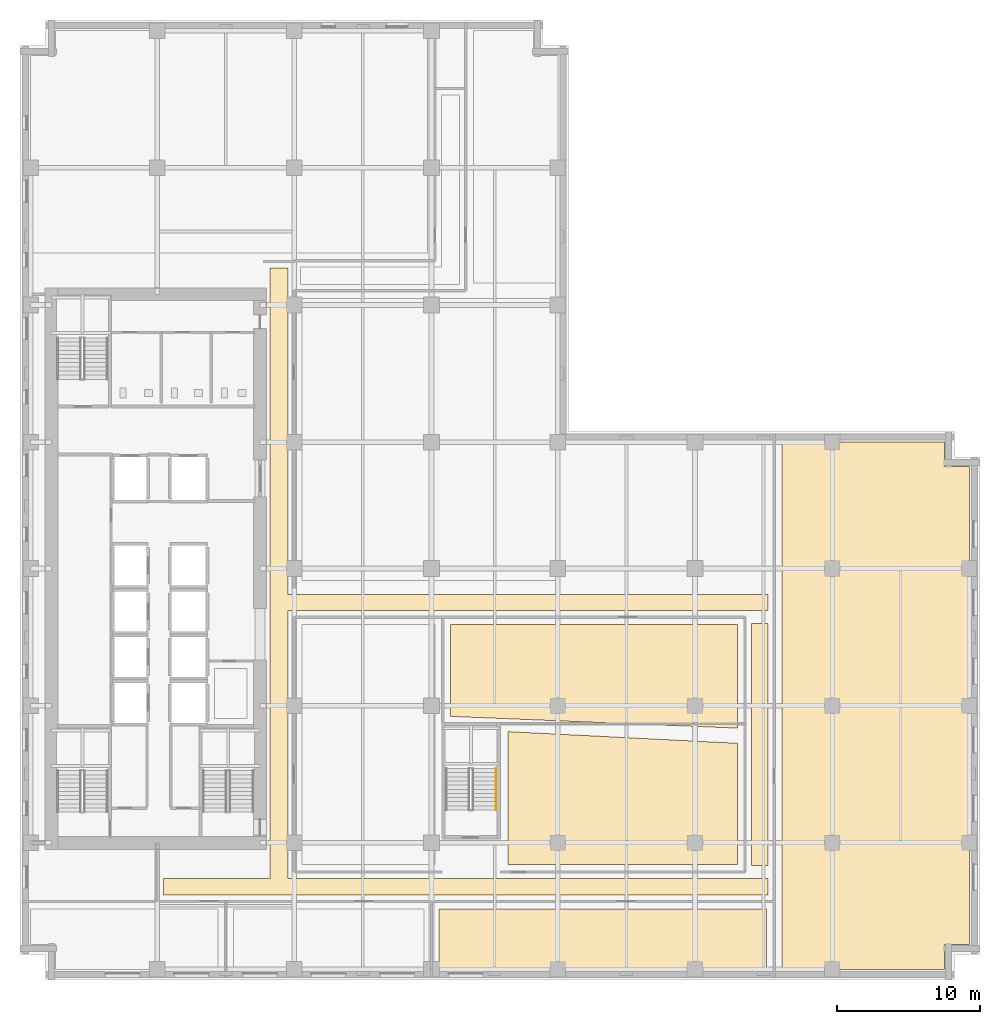
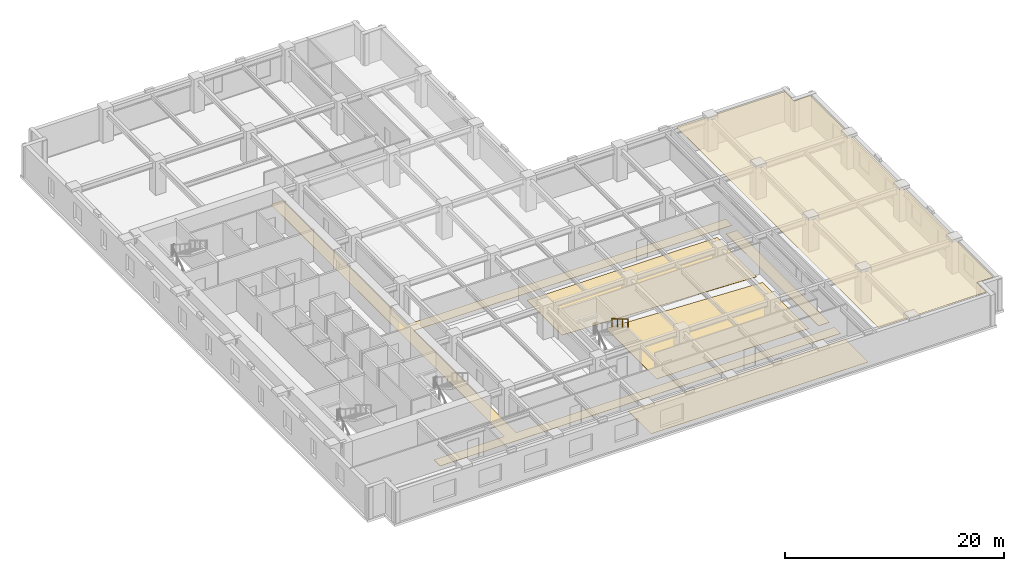
# One storey, part 12 of 15: 6 coverings, 1 railing.
"""IFC4 building model written with IfcOpenShell, lengths in metres."""

from ifc_helpers import new_model, si_unit, direction, frame, origin, origin_2d, place, context, subcontext, project, spatial, polyline, circle, outline, extrude, material, layer, layer_set, type_object, element, save


model = new_model("IFC4")

# Units and contexts
model_context = context("Model", 3, precision=1e-05, world=origin(), true_north=direction((0.0, 1.0)))
body_context = subcontext(model_context, "Body", "Model", "MODEL_VIEW")
ifc_project = project(units=[si_unit("LENGTHUNIT", "METRE"), si_unit("AREAUNIT", "SQUARE_METRE"), si_unit("VOLUMEUNIT", "CUBIC_METRE"), si_unit("PLANEANGLEUNIT", "RADIAN"), si_unit("MASSUNIT", "GRAM", prefix="KILO")], contexts=[model_context])

# Site, building, storey
site_placement = place(None, origin())
site = spatial("IfcSite", under=ifc_project, at=site_placement, CompositionType="ELEMENT")
building_placement = place(site_placement, origin())
building = spatial("IfcBuilding", under=site, at=building_placement, Name="Norrvale University Quadrangle", CompositionType="ELEMENT")
storey_placement = place(building_placement, frame((0.0, 0.0, 92.60009765625)))
storey = spatial("IfcBuildingStorey", under=building, at=storey_placement, Name="L23", CompositionType="ELEMENT", Elevation=92.60009765625)

# Coverings
ifc_material_1 = material(Name="Perforated Acoustic Mineral Ceiling")
ifc_layer_1 = layer(ifc_material_1, 0.02490234375, Name="Perforated Acoustic Mineral Ceiling")
ifc_layer_set_1 = layer_set([ifc_layer_1], Name="Perforated Acoustic Mineral Ceiling")
covering_type_1 = type_object("IfcCoveringType", Name="Covering Acoustic Ceiling 25", PredefinedType="CEILING", material=ifc_layer_set_1)
covering_1_placement = place(storey_placement, frame((0.0, 0.0, 3.454833984375)))
element("IfcCovering", 1, at=covering_1_placement, inside=storey, type_object=covering_type_1, Name="Acoustic Ceiling RM-L23-E01", PredefinedType="CEILING", context=body_context, shape_type="SweptSolid", body=[
    extrude(outline(polyline([(53.330078125, 0.75), (53.330078125, 37.64990234375), (64.72998046875, 37.64990234375), (64.72998046875, 35.929931640625), (66.449951171875, 35.929931640625), (66.449951171875, 2.469970703125), (64.72998046875, 2.469970703125), (64.72998046875, 0.75), (53.330078125, 0.75)])), origin(), (0.0, 0.0, 1.0), 0.025146484375),
])
ifc_material_2 = material(Name="Polished Terrazzo Flooring")
ifc_layer_2 = layer(ifc_material_2, 0.02490234375, Name="Polished Terrazzo Flooring")
ifc_layer_set_2 = layer_set([ifc_layer_2], Name="Polished Terrazzo Flooring")
covering_type_2 = type_object("IfcCoveringType", Name="Covering Terrazzo Floor 30", PredefinedType="FLOORING", material=ifc_layer_set_2)
covering_2_placement = place(storey_placement, origin())
element("IfcCovering", 2, at=covering_2_placement, inside=storey, type_object=covering_type_2, Name="Terrazzo Flooring RM-L23-CORR1", PredefinedType="FLOORING", context=body_context, shape_type="SweptSolid", body=[
    extrude(outline(polyline([(10.050048828125, 5.949951171875), (10.050048828125, 7.10009765625), (17.5, 7.10009765625), (17.5, 49.85009765625), (18.75, 49.85009765625), (18.75, 27.0), (52.35009765625, 27.0), (52.35009765625, 25.85009765625), (18.75, 25.85009765625), (18.75, 7.10009765625), (52.35009765625, 7.10009765625), (52.35009765625, 5.949951171875), (10.050048828125, 5.949951171875)])), origin(), (0.0, 0.0, 1.0), 0.02490234375),
])
covering_3_placement = place(storey_placement, origin())
element("IfcCovering", 3, at=covering_3_placement, inside=storey, type_object=covering_type_2, Name="Terrazzo Flooring RM-L23-CORR2", PredefinedType="FLOORING", context=body_context, shape_type="SweptSolid", body=[
    extrude(outline(polyline([(51.199951171875, 8.0), (51.199951171875, 24.949951171875), (52.35009765625, 24.949951171875), (52.35009765625, 8.0), (51.199951171875, 8.0)])), origin(), (0.0, 0.0, 1.0), 0.02490234375),
])
covering_4_placement = place(storey_placement, origin())
element("IfcCovering", 4, at=covering_4_placement, inside=storey, type_object=covering_type_2, Name="Terrazzo Flooring RM-L23-S03", PredefinedType="FLOORING", context=body_context, shape_type="SweptSolid", body=[
    extrude(outline(polyline([(29.330078125, 4.969970703125), (52.27001953125, 4.969970703125), (52.27001953125, 0.75), (29.330078125, 0.75), (29.330078125, 4.969970703125)])), origin(), (0.0, 0.0, 1.0), 0.02490234375),
])
covering_5_placement = place(storey_placement, origin())
element("IfcCovering", 5, at=covering_5_placement, inside=storey, type_object=covering_type_2, Name="Terrazzo Flooring RM-L23-ILH", PredefinedType="FLOORING", context=body_context, shape_type="SweptSolid", body=[
    extrude(outline(polyline([(30.1298828125, 18.451904296875), (30.1298828125, 24.8701171875), (50.219970703125, 24.8701171875), (50.219970703125, 17.62890625), (30.1298828125, 18.451904296875)])), origin(), (0.0, 0.0, 1.0), 0.02490234375),
])
covering_6_placement = place(storey_placement, origin())
element("IfcCovering", 6, at=covering_6_placement, inside=storey, type_object=covering_type_2, Name="Terrazzo Flooring RM-L23-ISE", PredefinedType="FLOORING", context=body_context, shape_type="SweptSolid", body=[
    extrude(outline(polyline([(34.14990234375, 8.080078125), (34.14990234375, 17.386962890625), (50.219970703125, 16.572021484375), (50.219970703125, 8.080078125), (34.14990234375, 8.080078125)])), origin(), (0.0, 0.0, 1.0), 0.02490234375),
])

# Railing
ifc_material_3 = material(Name="Stainless Steel 316L Handrail", Category="steel")
railing_type = type_object("IfcRailingType", Name="Railing Stair Handrail 920", PredefinedType="HANDRAIL", material=ifc_material_3)
railing_placement = place(storey_placement, frame((33.31005859375, 14.800048828125, 2.072509765625)))
element("IfcRailing", 7, at=railing_placement, inside=storey, type_object=railing_type, Name="Stair Upper Flight Handrail ST-04 L23", PredefinedType="HANDRAIL", context=body_context, shape_type="SweptSolid", body=[
    extrude(circle(Radius=0.02392578125, at=origin_2d()), frame((0.0, 0.0, 0.89599609375), z_axis=(0.0, -0.859160404282, 0.51170636083), x_axis=(1.0, 0.0, 0.0)), (0.0, 0.0, 1.0), 3.37548828125),
    extrude(circle(Radius=0.02099609375, at=origin_2d()), origin(), (0.0, 0.0, 1.0), 0.871826171875),
    extrude(circle(Radius=0.02099609375, at=origin_2d()), frame((0.0, -0.966796875, 0.57568359375)), (0.0, 0.0, 1.0), 0.871826171875),
    extrude(circle(Radius=0.02099609375, at=origin_2d()), frame((0.0, -1.933349609375, 1.151611328125)), (0.0, 0.0, 1.0), 0.871826171875),
    extrude(circle(Radius=0.02099609375, at=origin_2d()), frame((0.0, -2.900146484375, 1.727294921875)), (0.0, 0.0, 1.0), 0.871826171875),
])

save(model, "model.ifc")
